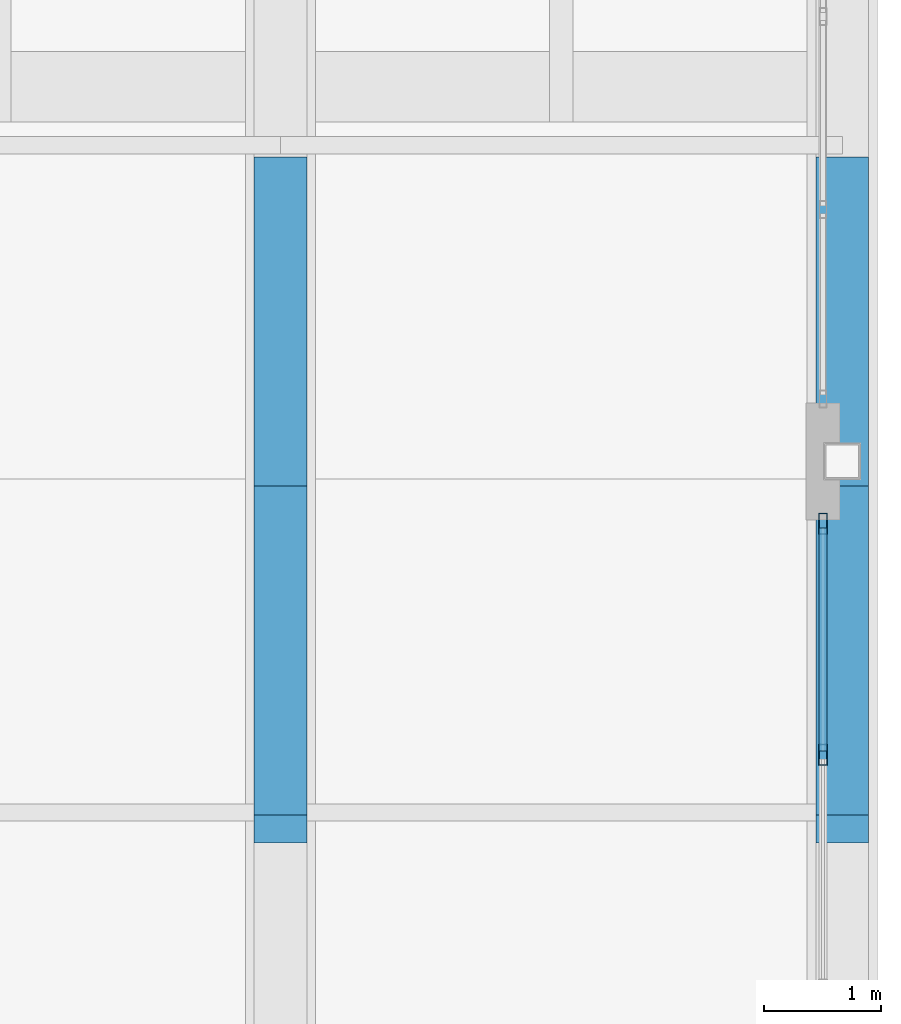
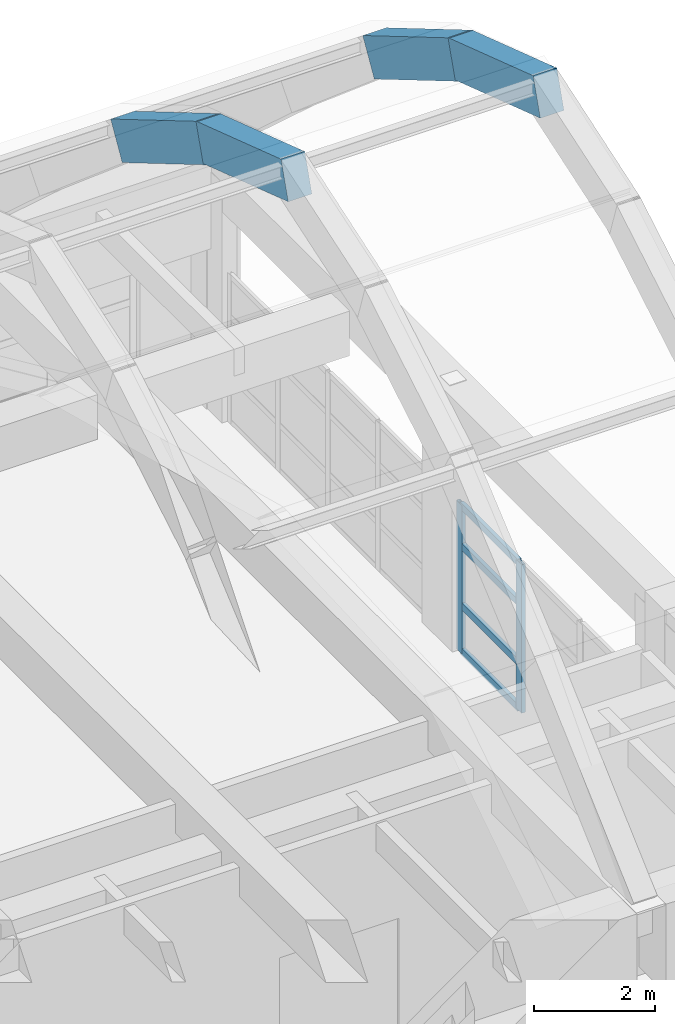
# One storey, part 50 of 78: 6 members, 4 beams, 1 element without a shape of its own.
"""IFC4 building model written with IfcOpenShell, lengths in metres."""

import ifcopenshell
import ifcopenshell.guid

model = None  # the IFC model being written
_history = None  # IfcOwnerHistory: only IFC2X3 demands one
_inside = {}  # id of a spatial element -> (the spatial element, [elements in it])
_under = {}  # id of a project, library or spatial element -> (it, [spatial elements below it])
_declared = {}  # id of a project -> (the project, [libraries it declares])
_typed = {}  # id of a type object -> (the type object, [elements of that type])
_made_of = {}  # id of a material, layer set ... -> (it, [elements and type objects made of it])


def new_model(schema):
    """Start an empty IFC model of exactly this schema.

    Asked for "IFC4X3", IfcOpenShell would pick the latest addendum, in which some entities
    have other attributes; the version numbers below select the first issue.
    IFC2X3 requires an IfcOwnerHistory on every rooted entity: one is made here for all.
    """
    global model, _history
    if schema == "IFC4X3":
        model = ifcopenshell.file(schema_version=(4, 3, 0, 0))
    else:
        model = ifcopenshell.file(schema=schema)
    _inside.clear()
    _under.clear()
    _declared.clear()
    _typed.clear()
    _made_of.clear()
    _history = None
    if model.schema == "IFC2X3":
        org = make("IfcOrganization", Name="unknown")
        user = make(
            "IfcPersonAndOrganization",
            ThePerson=make("IfcPerson", FamilyName="unknown"),
            TheOrganization=org,
        )
        app = make(
            "IfcApplication",
            ApplicationDeveloper=org,
            Version="unknown",
            ApplicationFullName="unknown",
            ApplicationIdentifier="unknown",
        )
        _history = make(
            "IfcOwnerHistory",
            OwningUser=user,
            OwningApplication=app,
            ChangeAction="ADDED",
            CreationDate=0,
        )
    return model


def make(cls, **values):
    """One entity of the class cls with the attributes given. An attribute that is None is left unset."""
    return model.create_entity(
        cls, **{name: value for name, value in values.items() if value is not None}
    )


def rooted(cls, **values):
    """An entity with a GlobalId (a new one), such as an element, a storey or a relation."""
    return make(cls, GlobalId=ifcopenshell.guid.new(), OwnerHistory=_history, **values)


def si_unit(unit_type, name, prefix=None):
    """IfcSIUnit, for example si_unit("LENGTHUNIT", "METRE", prefix="MILLI")."""
    return make("IfcSIUnit", UnitType=unit_type, Prefix=prefix, Name=name)


def assignment(units):
    """IfcUnitAssignment: the units of a project."""
    return None if units is None else make("IfcUnitAssignment", Units=units)


def point(xyz):
    """IfcCartesianPoint."""
    return None if xyz is None else make("IfcCartesianPoint", Coordinates=xyz)


def direction(xyz):
    """IfcDirection."""
    return None if xyz is None else make("IfcDirection", DirectionRatios=xyz)


def frame(location, z_axis=None, x_axis=None):
    """IfcAxis2Placement3D, a coordinate frame: its origin and axes. An axis left out is left unset."""
    return make(
        "IfcAxis2Placement3D",
        Location=point(location),
        Axis=direction(z_axis),
        RefDirection=direction(x_axis),
    )


def frame_2d(location, x_axis=None):
    """IfcAxis2Placement2D, a coordinate frame in the plane: its origin and x axis."""
    return make(
        "IfcAxis2Placement2D", Location=point(location), RefDirection=direction(x_axis)
    )


def origin():
    """The frame at (0, 0, 0) with its axes left unset."""
    return frame((0.0, 0.0, 0.0))


def origin_2d():
    """The frame at (0, 0) in the plane with its x axis left unset."""
    return frame_2d((0.0, 0.0))


def place(relative_to, where):
    """IfcLocalPlacement: puts the frame where relative to a parent placement (None: the world)."""
    return make(
        "IfcLocalPlacement", PlacementRelTo=relative_to, RelativePlacement=where
    )


def context(
    kind, dimensions, precision=None, world=None, true_north=None, identifier=None
):
    """IfcGeometricRepresentationContext, for example the 3D "Model" context."""
    return make(
        "IfcGeometricRepresentationContext",
        ContextIdentifier=identifier,
        ContextType=kind,
        CoordinateSpaceDimension=dimensions,
        Precision=precision,
        WorldCoordinateSystem=world,
        TrueNorth=true_north,
    )


def subcontext(parent, identifier, kind, view, scale=None):
    """IfcGeometricRepresentationSubContext, for example "Body" below "Model"."""
    return make(
        "IfcGeometricRepresentationSubContext",
        ContextIdentifier=identifier,
        ContextType=kind,
        ParentContext=parent,
        TargetScale=scale,
        TargetView=view,
    )


def project(units=None, contexts=None):
    """IfcProject with its units and contexts."""
    return rooted(
        "IfcProject",
        Name="project",
        RepresentationContexts=contexts,
        UnitsInContext=assignment(units),
    )


def spatial(cls, under=None, at=None, **own):
    """A site, building, storey or space (cls), placed at a placement, below another one or the project."""
    s = rooted(cls, ObjectPlacement=at, **own)
    if under is not None:
        _under.setdefault(under.id(), (under, []))[1].append(s)
    return s


def profile(cls, at=None, kind="AREA", **sizes):
    """A parametric profile (cls). Its sizes go by their IFC names, for example OverallWidth=200.0."""
    return make(cls, ProfileType=kind, Position=at, **sizes)


def rectangle(**sizes):
    """IfcRectangleProfileDef."""
    return profile("IfcRectangleProfileDef", **sizes)


def hollow_rectangle(**sizes):
    """IfcRectangleHollowProfileDef."""
    return profile("IfcRectangleHollowProfileDef", **sizes)


def extrude(swept, where, along, depth):
    """IfcExtrudedAreaSolid: the profile swept, set in the frame where, extruded along a direction by depth."""
    return make(
        "IfcExtrudedAreaSolid",
        SweptArea=swept,
        Position=where,
        ExtrudedDirection=direction(along),
        Depth=depth,
    )


def shape(context_of_items, identifier, shape_type, items):
    """IfcShapeRepresentation: the items that make up one representation, for example the "Body"."""
    return make(
        "IfcShapeRepresentation",
        ContextOfItems=context_of_items,
        RepresentationIdentifier=identifier,
        RepresentationType=shape_type,
        Items=items,
    )


def material(Name=None, Category=None):
    """IfcMaterial."""
    return make("IfcMaterial", Name=Name, Category=Category)


def layer(
    of_material, thickness, ventilated=None, Name=None, Category=None, Priority=None
):
    """IfcMaterialLayer: one layer of a wall or slab, of a material (None: an air gap)."""
    return make(
        "IfcMaterialLayer",
        Material=of_material,
        LayerThickness=thickness,
        IsVentilated=ventilated,
        Name=Name,
        Category=Category,
        Priority=Priority,
    )


def layer_set(layers, Name=None):
    """IfcMaterialLayerSet."""
    return make("IfcMaterialLayerSet", MaterialLayers=layers, LayerSetName=Name)


def material_profile(
    of_material, cross_section, Name=None, Category=None, Priority=None
):
    """IfcMaterialProfile: a cross section and its material."""
    return make(
        "IfcMaterialProfile",
        Name=Name,
        Material=of_material,
        Profile=cross_section,
        Priority=Priority,
        Category=Category,
    )


def profile_set(profiles, Name=None, composite=None):
    """IfcMaterialProfileSet."""
    return make(
        "IfcMaterialProfileSet",
        Name=Name,
        MaterialProfiles=profiles,
        CompositeProfile=composite,
    )


def made_of(thing, what):
    """Note that an element or type object is made of a material, layer set ...; save() writes the relation."""
    if what is not None:
        _made_of.setdefault(what.id(), (what, []))[1].append(thing)
    return thing


def type_object(cls, material=None, **own):
    """A type object (cls), such as IfcWallType, which elements share."""
    return made_of(rooted(cls, **own), material)


def element(
    cls,
    number,
    at=None,
    inside=None,
    cuts=None,
    type_object=None,
    material=None,
    context=None,
    identifier="Body",
    shape_type=None,
    held_by="IfcProductDefinitionShape",
    body=None,
    shapes=None,
    **own,
):
    """One element of the class cls, such as IfcWall. Its Tag is "e" and its number.

    at: its placement. inside: the storey or other place that contains it. cuts: it is an
    opening in that element (IfcRelVoidsElement). A single representation is given by context,
    identifier, shape_type and body (its items); several are given by shapes. held_by: the class
    of the entity that holds the representations. save() writes the other relations.
    """
    e = rooted(cls, Tag="e%d" % number, ObjectPlacement=at, **own)
    if body is not None:
        shapes = [shape(context, identifier, shape_type, body)]
    if shapes is not None:
        e.Representation = make(held_by, Representations=shapes)
    if inside is not None:
        _inside.setdefault(inside.id(), (inside, []))[1].append(e)
    if cuts is not None:
        rooted(
            "IfcRelVoidsElement", RelatingBuildingElement=cuts, RelatedOpeningElement=e
        )
    if type_object is not None:
        _typed.setdefault(type_object.id(), (type_object, []))[1].append(e)
    return made_of(e, material)


def aggregate(whole, parts):
    """IfcRelAggregates: a whole, such as a stair, and the parts it consists of."""
    return rooted("IfcRelAggregates", RelatingObject=whole, RelatedObjects=parts)


def save(model, path):
    """Write the relations noted so far, then the file.

    IfcRelAggregates (storeys below a building ...), IfcRelContainedInSpatialStructure (elements
    in a storey), IfcRelDefinesByType, IfcRelAssociatesMaterial and IfcRelDeclares: one each for
    every whole, place, type object, material and project.
    """
    for whole, parts in _under.values():
        aggregate(whole, parts)
    for where, things in _inside.values():
        rooted(
            "IfcRelContainedInSpatialStructure",
            RelatedElements=things,
            RelatingStructure=where,
        )
    for kind, things in _typed.values():
        rooted("IfcRelDefinesByType", RelatedObjects=things, RelatingType=kind)
    for what, things in _made_of.values():
        rooted("IfcRelAssociatesMaterial", RelatedObjects=things, RelatingMaterial=what)
    for by, libraries in _declared.values():
        rooted("IfcRelDeclares", RelatingContext=by, RelatedDefinitions=libraries)
    model.write(path)


model = new_model("IFC4")

# Units and contexts
model_context = context("Model", 3, precision=1e-05, world=origin(), true_north=direction((0.0, 1.0)))
body_context = subcontext(model_context, "Body", "Model", "MODEL_VIEW")
ifc_project = project(units=[si_unit("LENGTHUNIT", "METRE"), si_unit("AREAUNIT", "SQUARE_METRE"), si_unit("VOLUMEUNIT", "CUBIC_METRE"), si_unit("PLANEANGLEUNIT", "RADIAN"), si_unit("MASSUNIT", "GRAM", prefix="KILO")], contexts=[model_context])

# Site, building, storey
site_placement = place(None, origin())
site = spatial("IfcSite", under=ifc_project, at=site_placement, CompositionType="ELEMENT")
building_placement = place(site_placement, origin())
building = spatial("IfcBuilding", under=site, at=building_placement, Name="Quendrovan Civic Courthouse", CompositionType="ELEMENT")
storey_placement = place(building_placement, frame((0.0, 0.0, 20.39990234375)))
storey = spatial("IfcBuildingStorey", under=building, at=storey_placement, Name="L05", CompositionType="ELEMENT", Elevation=20.39990234375)

# Beams
ifc_material_1 = material(Name="Concrete C40/50", Category="concrete")
ifc_material_profile_1 = material_profile(ifc_material_1, rectangle(XDim=0.449951171875, YDim=0.75, at=origin_2d()), Name="RC-VRIB-450x750")
ifc_profile_set_1 = profile_set([ifc_material_profile_1], Name="Concrete C40/50")
beam_type = type_object("IfcBeamType", Name="BM-VRIB750", PredefinedType="BEAM", material=ifc_profile_set_1)
beam_1_placement = place(storey_placement, frame((138.0, 98.8583984375, 12.746337890625), z_axis=(0.0, 0.948872737185, -0.315658880164), x_axis=(-1.0, 0.0, 0.0)))
element("IfcBeam", 1, at=beam_1_placement, inside=storey, type_object=beam_type, Name="BV1 Concrete Vault Arch Rib A7-C5", PredefinedType="BEAM", context=body_context, shape_type="SweptSolid", body=[
    extrude(rectangle(XDim=0.449951171875, YDim=0.75, at=origin_2d()), origin(), (0.0, 0.0, 1.0), 2.96142578125),
])
beam_2_placement = place(storey_placement, frame((138.0, 101.557861328125, 11.86181640625), z_axis=(0.0, 0.861355141515, -0.508003267889), x_axis=(-1.0, 0.0, 0.0)))
element("IfcBeam", 2, at=beam_2_placement, inside=storey, type_object=beam_type, Name="BV1 Concrete Vault Arch Rib A7-C6", PredefinedType="BEAM", context=body_context, shape_type="SweptSolid", body=[
    extrude(rectangle(XDim=0.449951171875, YDim=0.75, at=origin_2d()), origin(), (0.0, 0.0, 1.0), 3.308837890625),
])
beam_3_placement = place(storey_placement, frame((142.800048828125, 98.8583984375, 12.746337890625), z_axis=(0.0, 0.948872737185, -0.315658880164), x_axis=(-1.0, 0.0, 0.0)))
element("IfcBeam", 3, at=beam_3_placement, inside=storey, type_object=beam_type, Name="BV1 Concrete Vault Arch Rib A8-C5", PredefinedType="BEAM", context=body_context, shape_type="SweptSolid", body=[
    extrude(rectangle(XDim=0.449951171875, YDim=0.75, at=origin_2d()), origin(), (0.0, 0.0, 1.0), 2.96142578125),
])
beam_4_placement = place(storey_placement, frame((142.800048828125, 101.557861328125, 11.86181640625), z_axis=(0.0, 0.861355141515, -0.508003267889), x_axis=(-1.0, 0.0, 0.0)))
element("IfcBeam", 4, at=beam_4_placement, inside=storey, type_object=beam_type, Name="BV1 Concrete Vault Arch Rib A8-C6", PredefinedType="BEAM", context=body_context, shape_type="SweptSolid", body=[
    extrude(rectangle(XDim=0.449951171875, YDim=0.75, at=origin_2d()), origin(), (0.0, 0.0, 1.0), 3.308837890625),
])

# Curtain wall, members
ifc_material_2 = material(Name="Bronze anodised aluminium and low-E glass", Category="aluminium")
ifc_layer = layer(ifc_material_2, 0.179931640625, Name="Bronze anodised aluminium and low-E glass")
ifc_layer_set = layer_set([ifc_layer], Name="Bronze anodised aluminium and low-E glass")
curtain_wall_type = type_object("IfcCurtainWallType", Name="CW-U60x30", PredefinedType="USERDEFINED", material=ifc_layer_set)
curtain_wall_placement = place(storey_placement, origin())
curtain_wall = element("IfcCurtainWall", 5, at=curtain_wall_placement, inside=storey, type_object=curtain_wall_type, Name="L05 Unitised Hurricane Curtain Wall CW-196", ObjectType="UNITISED CURTAIN WALL", PredefinedType="USERDEFINED")
ifc_material_3 = material(Name="Bronze anodised aluminium", Category="aluminium")
ifc_material_profile_2 = material_profile(ifc_material_3, hollow_rectangle(XDim=0.070068359375, YDim=0.179931640625, WallThickness=0.00390625, at=origin_2d()), Name="CW-MULL-70x180")
ifc_profile_set_2 = profile_set([ifc_material_profile_2], Name="Bronze anodised aluminium")
member_type_1 = type_object("IfcMemberType", Name="CW-MULL-A", PredefinedType="MULLION", material=ifc_profile_set_2)
member_1_placement = place(storey_placement, frame((142.635009765625, 101.465087890625, 0.0), z_axis=(0.0, 0.0, 1.0), x_axis=(1.0, 0.0, 0.0)))
member_1 = element("IfcMember", 6, at=member_1_placement, type_object=member_type_1, Name="CW-196 mullion 1", PredefinedType="MULLION", context=body_context, shape_type="SweptSolid", body=[
    extrude(hollow_rectangle(XDim=0.070068359375, YDim=0.179931640625, WallThickness=0.00390625, at=origin_2d()), origin(), (0.0, 0.0, 1.0), 2.989990234375),
])
member_2_placement = place(storey_placement, frame((142.635009765625, 99.49169921875, 0.0), z_axis=(0.0, 0.0, 1.0), x_axis=(1.0, 0.0, 0.0)))
member_2 = element("IfcMember", 7, at=member_2_placement, type_object=member_type_1, Name="CW-196 mullion 2", PredefinedType="MULLION", context=body_context, shape_type="SweptSolid", body=[
    extrude(hollow_rectangle(XDim=0.070068359375, YDim=0.179931640625, WallThickness=0.00390625, at=origin_2d()), origin(), (0.0, 0.0, 1.0), 2.989990234375),
])
ifc_material_profile_3 = material_profile(ifc_material_3, hollow_rectangle(XDim=0.070068359375, YDim=0.139892578125, WallThickness=0.00390625, at=origin_2d()), Name="CW-TRAN-70x140")
ifc_profile_set_3 = profile_set([ifc_material_profile_3], Name="Bronze anodised aluminium")
member_type_2 = type_object("IfcMemberType", Name="CW-TRAN-A", PredefinedType="USERDEFINED", material=ifc_profile_set_3)
member_3_placement = place(storey_placement, frame((142.635009765625, 101.429931640625, 0.03515625), z_axis=(0.0, -1.0, 0.0), x_axis=(1.0, 0.0, 0.0)))
member_3 = element("IfcMember", 8, at=member_3_placement, type_object=member_type_2, Name="CW-196 transom 1.1", ObjectType="TRANSOM", PredefinedType="USERDEFINED", context=body_context, shape_type="SweptSolid", body=[
    extrude(hollow_rectangle(XDim=0.070068359375, YDim=0.139892578125, WallThickness=0.00390625, at=origin_2d()), origin(), (0.0, 0.0, 1.0), 1.9033203125),
])
member_4_placement = place(storey_placement, frame((142.635009765625, 101.429931640625, 0.9501953125), z_axis=(0.0, -1.0, 0.0), x_axis=(1.0, 0.0, 0.0)))
member_4 = element("IfcMember", 9, at=member_4_placement, type_object=member_type_2, Name="CW-196 transom 1.2", ObjectType="TRANSOM", PredefinedType="USERDEFINED", context=body_context, shape_type="SweptSolid", body=[
    extrude(hollow_rectangle(XDim=0.070068359375, YDim=0.139892578125, WallThickness=0.00390625, at=origin_2d()), origin(), (0.0, 0.0, 1.0), 1.9033203125),
])
member_5_placement = place(storey_placement, frame((142.635009765625, 101.429931640625, 2.150146484375), z_axis=(0.0, -1.0, 0.0), x_axis=(1.0, 0.0, 0.0)))
member_5 = element("IfcMember", 10, at=member_5_placement, type_object=member_type_2, Name="CW-196 transom 1.3", ObjectType="TRANSOM", PredefinedType="USERDEFINED", context=body_context, shape_type="SweptSolid", body=[
    extrude(hollow_rectangle(XDim=0.070068359375, YDim=0.139892578125, WallThickness=0.00390625, at=origin_2d()), origin(), (0.0, 0.0, 1.0), 1.9033203125),
])
member_6_placement = place(storey_placement, frame((142.635009765625, 101.429931640625, 2.955078125), z_axis=(0.0, -1.0, 0.0), x_axis=(1.0, 0.0, 0.0)))
member_6 = element("IfcMember", 11, at=member_6_placement, type_object=member_type_2, Name="CW-196 transom 1.4", ObjectType="TRANSOM", PredefinedType="USERDEFINED", context=body_context, shape_type="SweptSolid", body=[
    extrude(hollow_rectangle(XDim=0.070068359375, YDim=0.139892578125, WallThickness=0.00390625, at=origin_2d()), origin(), (0.0, 0.0, 1.0), 1.9033203125),
])
aggregate(curtain_wall, [member_1, member_2, member_3, member_4, member_5, member_6])

save(model, "model.ifc")
